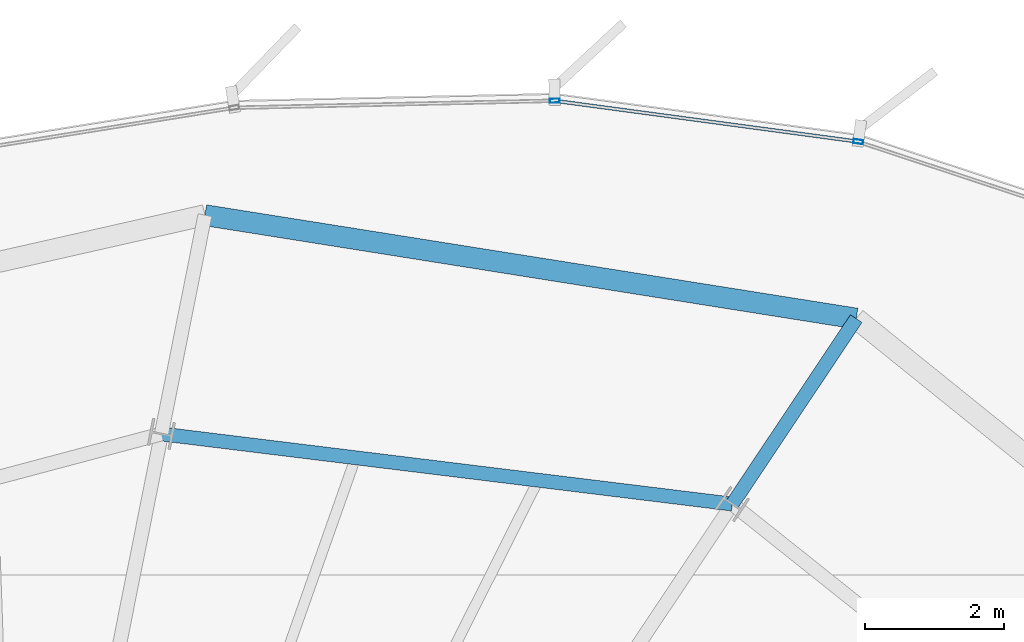
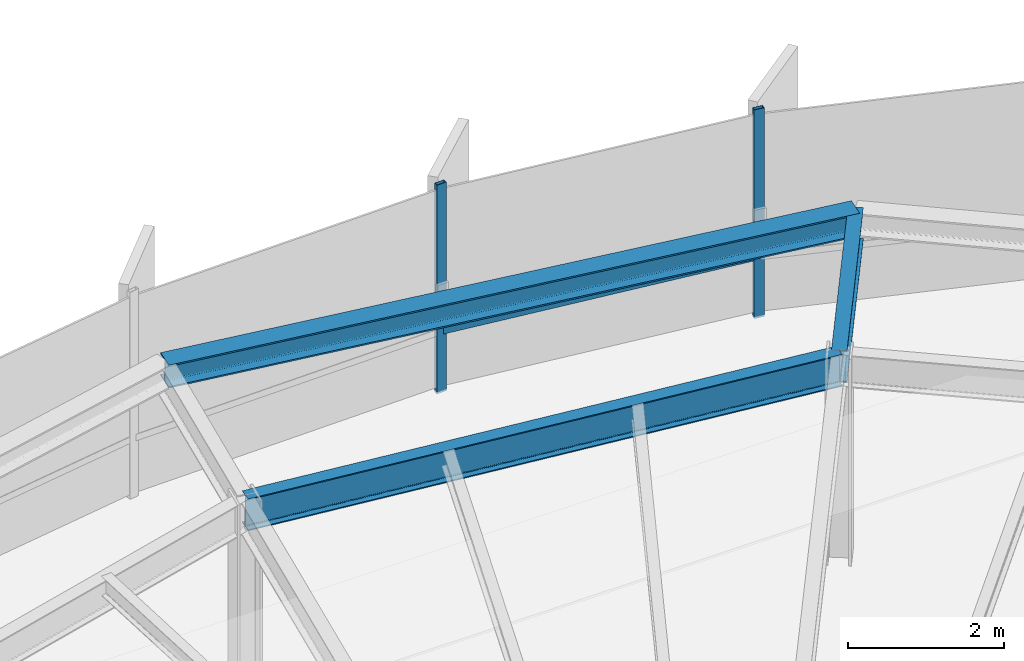
# One storey, part 26 of 35: 3 beams, 3 members, 1 element without a shape of its own.
"""IFC4 building model written with IfcOpenShell, lengths in metres."""

from ifc_helpers import new_model, si_unit, direction, frame, origin, origin_2d, place, context, subcontext, project, spatial, hollow_rectangle, i_section, extrude, source, transform, mapped, material, layer, layer_set, material_profile, profile_set, type_object, element, aggregate, save


model = new_model("IFC4")

# Units and contexts
model_context = context("Model", 3, precision=1e-05, world=origin(), true_north=direction((0.0, 1.0)))
body_context = subcontext(model_context, "Body", "Model", "MODEL_VIEW")
ifc_project = project(units=[si_unit("LENGTHUNIT", "METRE"), si_unit("AREAUNIT", "SQUARE_METRE"), si_unit("VOLUMEUNIT", "CUBIC_METRE"), si_unit("PLANEANGLEUNIT", "RADIAN"), si_unit("MASSUNIT", "GRAM", prefix="KILO"), si_unit("THERMODYNAMICTEMPERATUREUNIT", "KELVIN")], contexts=[model_context])

# Site, building, storey
site_placement = place(None, origin())
site = spatial("IfcSite", under=ifc_project, at=site_placement, CompositionType="ELEMENT")
building_placement = place(site_placement, origin())
building = spatial("IfcBuilding", under=site, at=building_placement, Name="Kethvar Cultural Tower", CompositionType="ELEMENT")
storey_placement = place(building_placement, frame((0.0, 0.0, 179.89990234375)))
storey = spatial("IfcBuildingStorey", under=building, at=storey_placement, Name="L46", CompositionType="ELEMENT", Elevation=179.89990234375)

# Beams
ifc_material_1 = material(Name="Steel S355J2", Category="steel")
ifc_material_profile_1 = material_profile(ifc_material_1, i_section(OverallWidth=0.199951171875, OverallDepth=0.5, WebThickness=0.01025390625, FlangeThickness=0.01611328125, FilletRadius=0.02099609375, at=origin_2d()), Name="Steel S355J2 — IPE500")
ifc_profile_set_1 = profile_set([ifc_material_profile_1], Name="Steel S355J2 — IPE500")
beam_type_1 = type_object("IfcBeamType", Name="BM-IPE500", PredefinedType="BEAM", material=ifc_profile_set_1)
shared_shape_1 = source(origin(), body_context, "Body", "SweptSolid", [
    extrude(i_section(OverallWidth=0.199951171875, OverallDepth=0.5, WebThickness=0.01025390625, FlangeThickness=0.01611328125, FilletRadius=0.02099609375, at=origin_2d()), origin(), (0.0, 0.0, 1.0), 3.2001953125),
])
beam_1_placement = place(storey_placement, frame((58.748046875, 45.681396484375, 3.008056640625), z_axis=(0.555544970406, 0.831486491686, 0.0), x_axis=(-0.831486491686, 0.555544970406, 0.0)))
element("IfcBeam", 1, at=beam_1_placement, inside=storey, type_object=beam_type_1, Name="L46 Perimeter Cantilever Beam RC-03", PredefinedType="BEAM", context=body_context, shape_type="MappedRepresentation", body=[
    mapped(shared_shape_1, transform((0.0, 0.0, 0.0), scale=1.0)),
])
shared_shape_2 = source(origin(), body_context, "Body", "SweptSolid", [
    extrude(i_section(OverallWidth=0.199951171875, OverallDepth=0.5, WebThickness=0.01025390625, FlangeThickness=0.01611328125, FilletRadius=0.02099609375, at=origin_2d()), origin(), (0.0, 0.0, 1.0), 8.252685546875),
])
beam_2_placement = place(storey_placement, frame((58.748046875, 45.681396484375, 3.008056640625), z_axis=(-0.992540943467, 0.121911753093, 0.0), x_axis=(-0.121911753093, -0.992540943467, 0.0)))
element("IfcBeam", 2, at=beam_2_placement, inside=storey, type_object=beam_type_1, Name="L46 Column Ring Tie Beam CR-03", PredefinedType="BEAM", context=body_context, shape_type="MappedRepresentation", body=[
    mapped(shared_shape_2, transform((0.0, 0.0, 0.0), scale=1.0)),
])
ifc_material_profile_2 = material_profile(ifc_material_1, i_section(OverallWidth=0.300048828125, OverallDepth=0.360107421875, WebThickness=0.012451171875, FlangeThickness=0.0224609375, FilletRadius=0.027099609375, at=origin_2d()), Name="Steel S355J2 — HEB360")
ifc_profile_set_2 = profile_set([ifc_material_profile_2], Name="Steel S355J2 — HEB360")
beam_type_2 = type_object("IfcBeamType", Name="BM-SP360", PredefinedType="SPANDREL", material=ifc_profile_set_2)
shared_shape_3 = source(origin(), body_context, "Body", "SweptSolid", [
    extrude(i_section(OverallWidth=0.300048828125, OverallDepth=0.360107421875, WebThickness=0.012451171875, FlangeThickness=0.0224609375, FilletRadius=0.027099609375, at=origin_2d()), origin(), (0.0, 0.0, 1.0), 9.461669921875),
])
beam_3_placement = place(storey_placement, frame((60.52587890625, 48.34228515625, 3.078125), z_axis=(-0.987629757191, 0.156803898904, 0.0), x_axis=(-0.156803898904, -0.987629757191, 0.0)))
element("IfcBeam", 3, at=beam_3_placement, inside=storey, type_object=beam_type_2, Name="L46 Perimeter Spandrel Beam SP-03", PredefinedType="SPANDREL", context=body_context, shape_type="MappedRepresentation", body=[
    mapped(shared_shape_3, transform((0.0, 0.0, 0.0), scale=1.0)),
])

# Curtain wall, members
ifc_material_2 = material(Name="Aluminium 6063-T6", Category="aluminium")
ifc_layer = layer(ifc_material_2, 0.179931640625, Name="Aluminium 6063-T6", Category="aluminium")
ifc_layer_set = layer_set([ifc_layer], Name="Aluminium 6063-T6 (180 mm)")
curtain_wall_type = type_object("IfcCurtainWallType", Name="CW-SYS-04-Z34", PredefinedType="NOTDEFINED", material=ifc_layer_set)
curtain_wall_placement = place(storey_placement, origin())
curtain_wall = element("IfcCurtainWall", 4, at=curtain_wall_placement, inside=storey, type_object=curtain_wall_type, Name="L46 Curtain Wall Run 01", PredefinedType="NOTDEFINED")
ifc_material_profile_3 = material_profile(ifc_material_2, hollow_rectangle(XDim=0.06005859375, YDim=0.139892578125, WallThickness=0.0048828125, at=origin_2d()), Name="Aluminium 6063-T6 — RHS140x60x5")
ifc_profile_set_3 = profile_set([ifc_material_profile_3], Name="Aluminium 6063-T6 — RHS140x60x5")
member_type_1 = type_object("IfcMemberType", Name="CW-SYS-04-Z34-MUL", PredefinedType="MULLION", material=ifc_profile_set_3)
shared_shape_4 = source(origin(), body_context, "Body", "SweptSolid", [
    extrude(hollow_rectangle(XDim=0.06005859375, YDim=0.139892578125, WallThickness=0.0048828125, at=origin_2d()), origin(), (0.0, 0.0, 1.0), 3.260009765625),
])
member_1_placement = place(storey_placement, frame((60.5556640625, 50.880615234375, 0.0), z_axis=(0.0, 0.0, 1.0), x_axis=(-0.133363505903, -0.9910671901, 0.0)))
member_1 = element("IfcMember", 5, at=member_1_placement, type_object=member_type_1, Name="CW-L46-R01 Mullion 4", PredefinedType="MULLION", context=body_context, shape_type="MappedRepresentation", body=[
    mapped(shared_shape_4, transform((0.0, 0.0, 0.0), scale=1.0)),
])
member_2_placement = place(storey_placement, frame((56.199951171875, 51.468017578125, 0.0), z_axis=(0.0, 0.0, 1.0), x_axis=(0.021919579749, -0.999759737149, 0.0)))
member_2 = element("IfcMember", 6, at=member_2_placement, type_object=member_type_1, Name="CW-L46-R01 Mullion 5", PredefinedType="MULLION", context=body_context, shape_type="MappedRepresentation", body=[
    mapped(shared_shape_4, transform((0.0, 0.0, 0.0), scale=1.0)),
])
ifc_material_profile_4 = material_profile(ifc_material_2, hollow_rectangle(XDim=0.050048828125, YDim=0.10009765625, WallThickness=0.00390625, at=origin_2d()), Name="Aluminium 6063-T6 — RHS100x50x4")
ifc_profile_set_4 = profile_set([ifc_material_profile_4], Name="Aluminium 6063-T6 — RHS100x50x4")
member_type_2 = type_object("IfcMemberType", Name="CW-SYS-04-Z34-TRN", PredefinedType="USERDEFINED", material=ifc_profile_set_4)
shared_shape_5 = source(origin(), body_context, "Body", "SweptSolid", [
    extrude(hollow_rectangle(XDim=0.050048828125, YDim=0.10009765625, WallThickness=0.00390625, at=origin_2d()), origin(), (0.0, 0.0, 1.0), 4.32568359375),
])
member_3_placement = place(storey_placement, frame((60.5126953125, 50.886474609375, 0.9501953125), z_axis=(-0.991066974781, 0.133365106003, 0.0), x_axis=(-0.133365106003, -0.991066974781, 0.0)))
member_3 = element("IfcMember", 7, at=member_3_placement, type_object=member_type_2, Name="CW-L46-R01 Transom 4", ObjectType="TRANSOM", PredefinedType="USERDEFINED", context=body_context, shape_type="MappedRepresentation", body=[
    mapped(shared_shape_5, transform((0.0, 0.0, 0.0), scale=1.0)),
])
aggregate(curtain_wall, [member_1, member_2, member_3])

save(model, "model.ifc")
